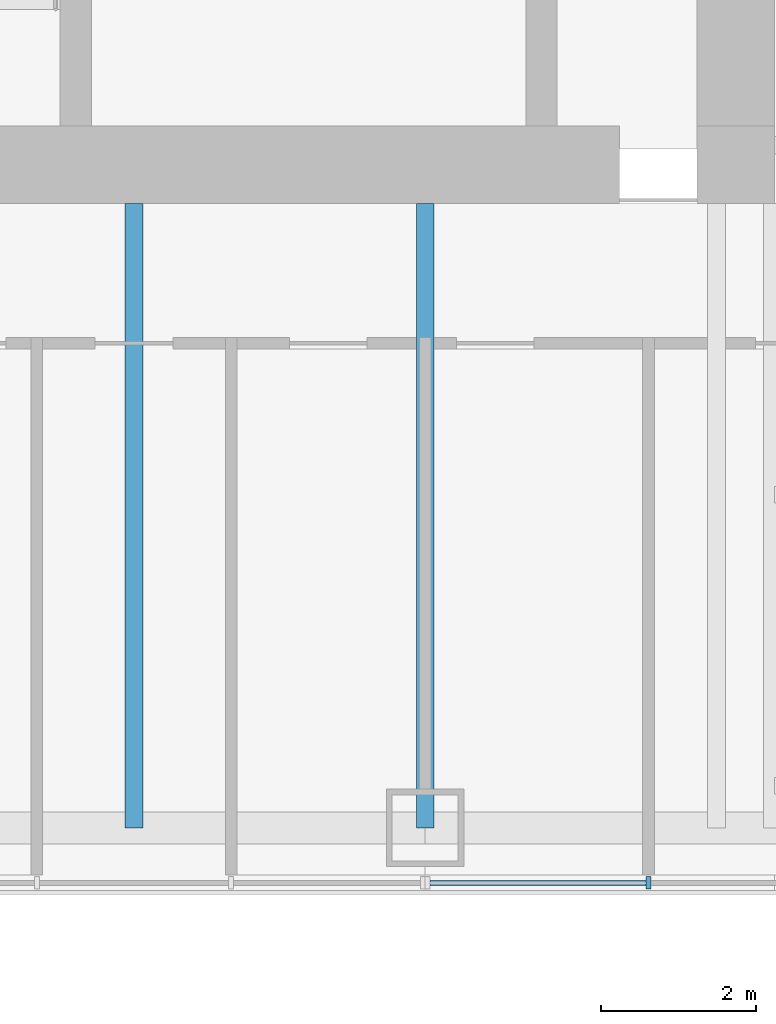
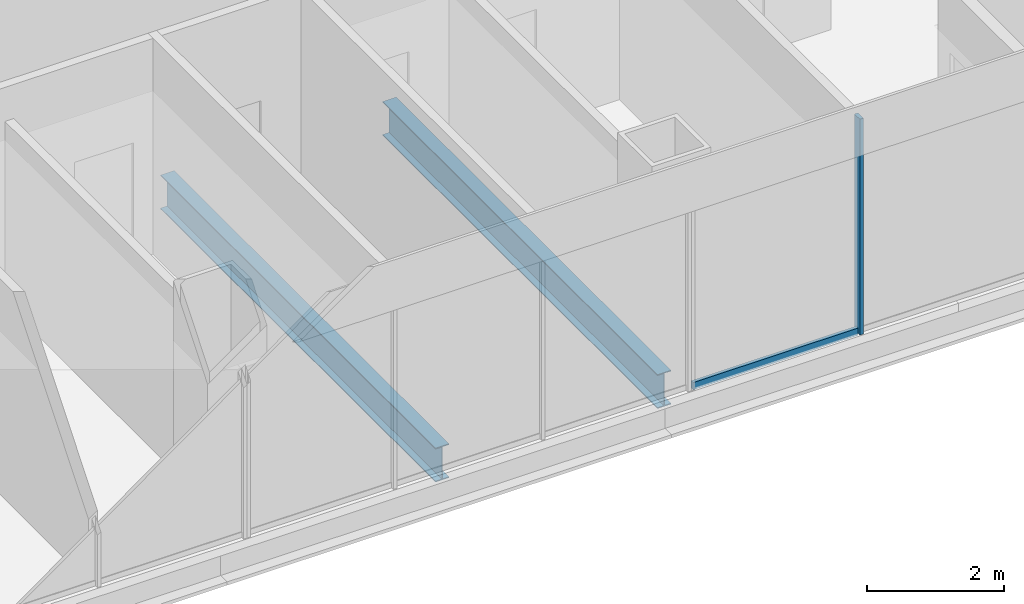
# One storey, part 3 of 15: 2 beams, 2 members, 1 element without a shape of its own.
"""IFC4 building model written with IfcOpenShell, lengths in metres."""

from ifc_helpers import new_model, si_unit, direction, frame, origin, origin_2d, place, context, subcontext, project, spatial, rectangle, i_section, extrude, material, material_profile, profile_set, type_object, element, aggregate, save


model = new_model("IFC4")

# Units and contexts
model_context = context("Model", 3, precision=1e-05, world=origin(), true_north=direction((0.0, 1.0)))
body_context = subcontext(model_context, "Body", "Model", "MODEL_VIEW")
ifc_project = project(units=[si_unit("LENGTHUNIT", "METRE"), si_unit("AREAUNIT", "SQUARE_METRE"), si_unit("VOLUMEUNIT", "CUBIC_METRE"), si_unit("PLANEANGLEUNIT", "RADIAN"), si_unit("MASSUNIT", "GRAM", prefix="KILO")], contexts=[model_context])

# Site, building, storey
site_placement = place(None, origin())
site = spatial("IfcSite", under=ifc_project, at=site_placement, CompositionType="ELEMENT")
building_placement = place(site_placement, origin())
building = spatial("IfcBuilding", under=site, at=building_placement, Name="Tarangal Relay Tower", CompositionType="ELEMENT")
storey_placement = place(building_placement, frame((0.0, 0.0, 299.89990234375)))
storey = spatial("IfcBuildingStorey", under=building, at=storey_placement, Name="L66", CompositionType="ELEMENT", Elevation=299.89990234375)

# Beams
ifc_material_1 = material(Name="Steel ASTM A992", Category="steel")
ifc_material_profile_1 = material_profile(ifc_material_1, i_section(OverallWidth=0.228271484375, OverallDepth=0.607177734375, WebThickness=0.01123046875, FlangeThickness=0.017333984375, at=origin_2d()), Name="W24X76")
ifc_profile_set_1 = profile_set([ifc_material_profile_1], Name="Steel ASTM A992")
beam_type = type_object("IfcBeamType", Name="Floor beam W24X76", PredefinedType="BEAM", material=ifc_profile_set_1)
for number, where, z_axis, x_axis, name in (
    (1, (7.5, -12.0, -0.453369140625), (0.0, -1.0, 0.0), (1.0, 0.0, 0.0), "Floor beam RB5 S L66"),
    (2, (3.75, -12.0, -0.453369140625), (0.0, -1.0, 0.0), (1.0, 0.0, 0.0), "Floor beam RB5 S L66"),
):
    element("IfcBeam", number, at=place(storey_placement, frame(where, z_axis=z_axis, x_axis=x_axis)), inside=storey, type_object=beam_type, Name=name, PredefinedType="BEAM", context=body_context, shape_type="SweptSolid", body=[
        extrude(i_section(OverallWidth=0.228271484375, OverallDepth=0.607177734375, WebThickness=0.01123046875, FlangeThickness=0.017333984375, at=origin_2d()), origin(), (0.0, 0.0, 1.0), 8.0400390625),
    ])

# Curtain wall, members
ifc_material_2 = material(Name="Unitised curtain wall, dark glass and black aluminium", Category="aluminium")
curtain_wall_type = type_object("IfcCurtainWallType", Name="Curtain wall CW-B", PredefinedType="USERDEFINED", material=ifc_material_2)
curtain_wall_placement = place(storey_placement, origin())
curtain_wall = element("IfcCurtainWall", 3, at=curtain_wall_placement, inside=storey, type_object=curtain_wall_type, Name="Curtain wall CW-B S facade L66", ObjectType="UNITISED CURTAIN WALL", PredefinedType="USERDEFINED")
ifc_material_3 = material(Name="Black anodised aluminium mullion", Category="aluminium")
ifc_material_profile_2 = material_profile(ifc_material_3, rectangle(XDim=0.159912109375, YDim=0.06005859375, at=origin_2d()), Name="CW-BM 60X160")
ifc_profile_set_2 = profile_set([ifc_material_profile_2], Name="Black anodised aluminium mullion")
member_type_1 = type_object("IfcMemberType", Name="Mullion CW-B 60 x 160", PredefinedType="MULLION", material=ifc_profile_set_2)
member_1_placement = place(storey_placement, frame((10.375, -20.75, 0.0), z_axis=(0.0, 0.0, 1.0), x_axis=(0.0, -1.0, 0.0)))
member_1 = element("IfcMember", 4, at=member_1_placement, type_object=member_type_1, Name="CW-B mullion 2", PredefinedType="MULLION", context=body_context, shape_type="SweptSolid", body=[
    extrude(rectangle(XDim=0.159912109375, YDim=0.06005859375, at=origin_2d()), origin(), (0.0, 0.0, 1.0), 3.85009765625),
])
ifc_material_4 = material(Name="Black anodised aluminium transom", Category="aluminium")
ifc_material_profile_3 = material_profile(ifc_material_4, rectangle(XDim=0.06005859375, YDim=0.1298828125, at=origin_2d()), Name="CW-BT 60X130")
ifc_profile_set_3 = profile_set([ifc_material_profile_3], Name="Black anodised aluminium transom")
member_type_2 = type_object("IfcMemberType", Name="Transom CW-B 60 x 130", PredefinedType="USERDEFINED", material=ifc_profile_set_3)
member_2_placement = place(storey_placement, frame((10.344970703125, -20.75, 0.030029296875), z_axis=(-1.0, 0.0, 0.0), x_axis=(0.0, -1.0, 0.0)))
member_2 = element("IfcMember", 5, at=member_2_placement, type_object=member_type_2, Name="CW-B transom 2.1", ObjectType="TRANSOM", PredefinedType="USERDEFINED", context=body_context, shape_type="SweptSolid", body=[
    extrude(rectangle(XDim=0.06005859375, YDim=0.1298828125, at=origin_2d()), origin(), (0.0, 0.0, 1.0), 2.784912109375),
])
aggregate(curtain_wall, [member_1, member_2])

save(model, "model.ifc")
